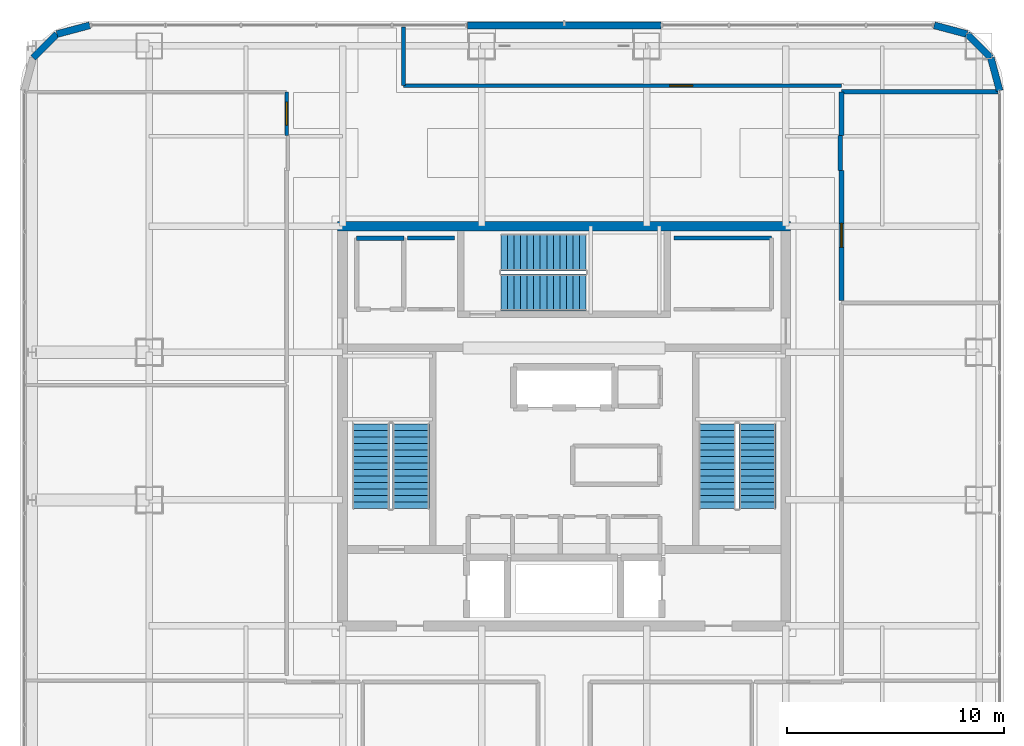
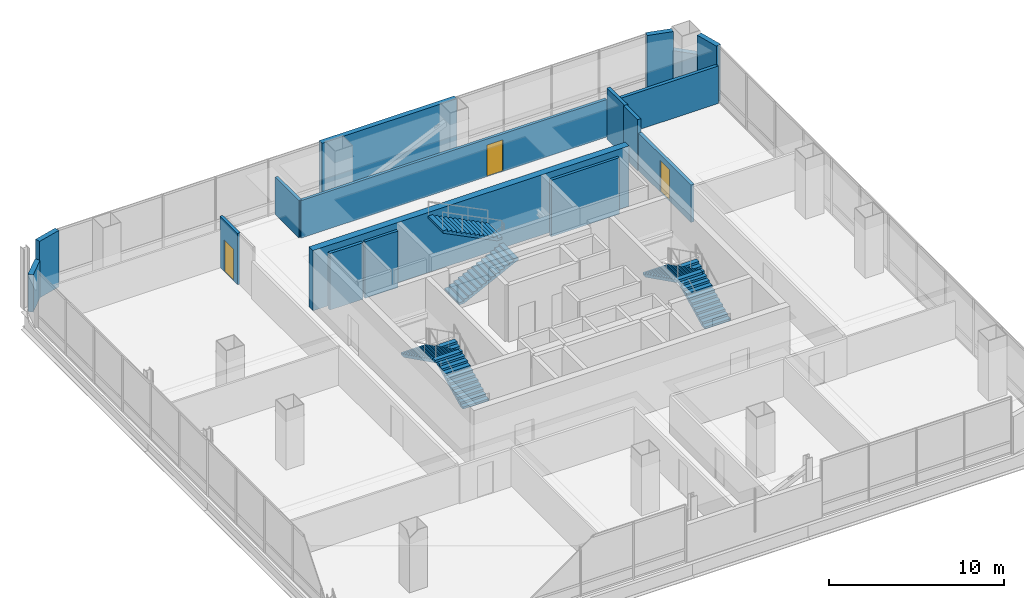
# One storey, part 37 of 46: 17 walls, 6 stair flights, 3 doors, 3 openings, 3 elements without a shape of their own.
"""IFC4 building model written with IfcOpenShell, lengths in metres."""

from ifc_helpers import new_model, si_unit, direction, frame, frame_2d, origin, place, context, subcontext, project, spatial, polyline, rectangle, outline, extrude, material, layer, layer_set, type_object, element, fill, aggregate, save


model = new_model("IFC4")

# Units and contexts
model_context = context("Model", 3, precision=1e-05, world=origin(), true_north=direction((0.0, 1.0)))
body_context = subcontext(model_context, "Body", "Model", "MODEL_VIEW")
ifc_project = project(units=[si_unit("LENGTHUNIT", "METRE"), si_unit("AREAUNIT", "SQUARE_METRE"), si_unit("VOLUMEUNIT", "CUBIC_METRE"), si_unit("PLANEANGLEUNIT", "RADIAN"), si_unit("MASSUNIT", "GRAM", prefix="KILO")], contexts=[model_context])

# Site, building, storey
site_placement = place(None, origin())
site = spatial("IfcSite", under=ifc_project, at=site_placement, CompositionType="ELEMENT")
building_placement = place(site_placement, origin())
building = spatial("IfcBuilding", under=site, at=building_placement, Name="Punatoya Terracotta Tower", CompositionType="ELEMENT")
storey_placement = place(building_placement, frame((0.0, 0.0, 330.0)))
storey = spatial("IfcBuildingStorey", under=building, at=storey_placement, Name="L78", CompositionType="ELEMENT", Elevation=330.0)

# Walls
ifc_material_1 = material(Name="Concrete C50/60", Category="concrete")
ifc_layer_1 = layer(ifc_material_1, 0.449951171875)
ifc_layer_set_1 = layer_set([ifc_layer_1], Name="Concrete C50/60")
wall_type_1 = type_object("IfcWallType", Name="WL-COR-450", PredefinedType="SHEAR", material=ifc_layer_set_1)
wall_1_placement = place(storey_placement, frame((-10.425048828125, 9.199951171875, 0.0), z_axis=(0.0, 0.0, 1.0), x_axis=(1.0, 0.0, 0.0)))
element("IfcWall", 1, at=wall_1_placement, inside=storey, type_object=wall_type_1, Name="L78 Core Shear Wall N", PredefinedType="SHEAR", context=body_context, shape_type="SweptSolid", body=[
    extrude(rectangle(XDim=20.85009765625, YDim=0.449951171875, at=frame_2d((10.425048828125, 0.0))), origin(), (0.0, 0.0, 1.0), 4.199951171875),
])
ifc_material_2 = material(Name="Gypsum Fireboard + Steel Stud", Category="steel")
ifc_layer_2 = layer(ifc_material_2, 0.179931640625)
ifc_layer_set_2 = layer_set([ifc_layer_2], Name="Gypsum Fireboard + Steel Stud")
wall_type_2 = type_object("IfcWallType", Name="WL-CORR-180", PredefinedType="PARTITIONING", material=ifc_layer_set_2)
wall_2_placement = place(storey_placement, frame((-5.050048828125, 8.64990234375, 0.0), z_axis=(0.0, 0.0, 1.0), x_axis=(-1.0, 0.0, 0.0)))
element("IfcWall", 2, at=wall_2_placement, inside=storey, type_object=wall_type_2, Name="L78 West Core Print Room Partition 21", PredefinedType="PARTITIONING", context=body_context, shape_type="SweptSolid", body=[
    extrude(rectangle(XDim=2.169921875, YDim=0.179931640625, at=frame_2d((1.0849609375, 0.0))), origin(), (0.0, 0.0, 1.0), 3.93994140625),
])
wall_3_placement = place(storey_placement, frame((9.550048828125, 8.64990234375, 0.0), z_axis=(0.0, 0.0, 1.0), x_axis=(-1.0, 0.0, 0.0)))
element("IfcWall", 3, at=wall_3_placement, inside=storey, type_object=wall_type_2, Name="L78 East Core Wellness Room Partition 24", PredefinedType="PARTITIONING", context=body_context, shape_type="SweptSolid", body=[
    extrude(rectangle(XDim=4.5, YDim=0.179931640625, at=frame_2d((2.25, 0.0))), origin(), (0.0, 0.0, 1.0), 3.93994140625),
])

# Wall, opening, door
wall_4_placement = place(storey_placement, frame((-12.77001953125, 15.389892578125, 0.0), z_axis=(0.0, 0.0, 1.0), x_axis=(0.0, -1.0, 0.0)))
wall_4 = element("IfcWall", 4, at=wall_4_placement, inside=storey, type_object=wall_type_2, Name="L78 Wellness Rest Room Partition 41", PredefinedType="PARTITIONING", context=body_context, shape_type="SweptSolid", body=[
    extrude(rectangle(XDim=2.010009765625, YDim=0.179931640625, at=frame_2d((1.0048828125, 0.0))), origin(), (0.0, 0.0, 1.0), 3.573974609375),
])
opening_1_placement = place(wall_4_placement, frame((0.47998046875, 0.0, 0.0)))
opening_1 = element("IfcOpeningElement", 5, at=opening_1_placement, cuts=wall_4, Name="Opening OD-01", PredefinedType="OPENING", context=body_context, shape_type="SweptSolid", body=[
    extrude(rectangle(XDim=1.050048828125, YDim=2.199951171875, at=frame_2d((0.52490234375, 1.10009765625))), frame((0.0, 0.099853515625, 0.0), z_axis=(0.0, -1.0, 0.0), x_axis=(1.0, 0.0, 0.0)), (0.0, 0.0, 1.0), 0.199951171875),
])
ifc_material_3 = material(Name="Bengal Teak Solid-Core Leaf")
door_type_1 = type_object("IfcDoorType", Name="DR-OFF-1050", OperationType="NOTDEFINED", PredefinedType="DOOR", material=ifc_material_3)
door_1_placement = place(opening_1_placement, origin())
door_1 = element("IfcDoor", 6, at=door_1_placement, inside=storey, type_object=door_type_1, Name="L78 Wellness Rest Room Door", OperationType="SINGLE_SWING_LEFT", OverallHeight=2.199951171875, OverallWidth=1.050048828125, PredefinedType="DOOR", context=body_context, shape_type="SweptSolid", body=[
    extrude(rectangle(XDim=1.050048828125, YDim=2.199951171875, at=frame_2d((0.52490234375, 1.10009765625))), frame((0.0, 0.02490234375, 0.0), z_axis=(0.0, -1.0, 0.0), x_axis=(1.0, 0.0, 0.0)), (0.0, 0.0, 1.0), 0.050048828125),
])
fill(opening_1, door_1)

wall_5_placement = place(storey_placement, frame((12.77001953125, 15.669921875, 0.0), z_axis=(0.0, 0.0, 1.0), x_axis=(-1.0, 0.0, 0.0)))
wall_5 = element("IfcWall", 7, at=wall_5_placement, inside=storey, type_object=wall_type_2, Name="L78 Open-Plan Hydrology Modelling Laboratory Partition 48", PredefinedType="PARTITIONING", context=body_context, shape_type="SweptSolid", body=[
    extrude(rectangle(XDim=20.169921875, YDim=0.179931640625, at=frame_2d((10.0849609375, 0.0))), origin(), (0.0, 0.0, 1.0), 2.614013671875),
])
opening_2_placement = place(wall_5_placement, frame((6.860107421875, 0.0, 0.0)))
opening_2 = element("IfcOpeningElement", 8, at=opening_2_placement, cuts=wall_5, Name="Opening OD-01", PredefinedType="OPENING", context=body_context, shape_type="SweptSolid", body=[
    extrude(rectangle(XDim=1.050048828125, YDim=2.199951171875, at=frame_2d((0.52490234375, 1.10009765625))), frame((0.0, 0.099853515625, 0.0), z_axis=(0.0, -1.0, 0.0), x_axis=(1.0, 0.0, 0.0)), (0.0, 0.0, 1.0), 0.199951171875),
])
door_2_placement = place(opening_2_placement, origin())
door_2 = element("IfcDoor", 9, at=door_2_placement, inside=storey, type_object=door_type_1, Name="L78 Open-Plan Hydrology Modelling Laboratory Door", OperationType="SINGLE_SWING_LEFT", OverallHeight=2.199951171875, OverallWidth=1.050048828125, PredefinedType="DOOR", context=body_context, shape_type="SweptSolid", body=[
    extrude(rectangle(XDim=1.050048828125, YDim=2.199951171875, at=frame_2d((0.52490234375, 1.10009765625))), frame((0.0, 0.02490234375, 0.0), z_axis=(0.0, -1.0, 0.0), x_axis=(1.0, 0.0, 0.0)), (0.0, 0.0, 1.0), 0.050048828125),
])
fill(opening_2, door_2)

# Walls
wall_6_placement = place(storey_placement, frame((-7.39990234375, 15.669921875, 0.0), z_axis=(0.0, 0.0, 1.0), x_axis=(0.0, 1.0, 0.0)))
element("IfcWall", 10, at=wall_6_placement, inside=storey, type_object=wall_type_2, Name="L78 Open-Plan Hydrology Modelling Laboratory Partition 49", PredefinedType="PARTITIONING", context=body_context, shape_type="SweptSolid", body=[
    extrude(rectangle(XDim=2.7001953125, YDim=0.179931640625, at=frame_2d((1.35009765625, 0.0))), origin(), (0.0, 0.0, 1.0), 2.614013671875),
])
ifc_material_4 = material(Name="Precast concrete C40/50", Category="concrete")
ifc_layer_3 = layer(ifc_material_4, 0.320068359375)
ifc_layer_set_3 = layer_set([ifc_layer_3], Name="Precast concrete C40/50")
wall_type_3 = type_object("IfcWallType", Name="WL-EXT-320", PredefinedType="SOLIDWALL", material=ifc_layer_set_3)
wall_7_placement = place(storey_placement, frame((20.050048828125, 15.43701171875, 0.0), z_axis=(0.0, 0.0, 1.0), x_axis=(-0.257847112249, 0.966185730957, 0.0)))
element("IfcWall", 11, at=wall_7_placement, inside=storey, type_object=wall_type_3, Name="L78 Rounded Terracotta Corner Pier 06", PredefinedType="SOLIDWALL", context=body_context, shape_type="SweptSolid", body=[
    extrude(rectangle(XDim=1.565185546875, YDim=0.320068359375, at=frame_2d((0.78271484375, 0.0))), origin(), (0.0, 0.0, 1.0), 3.93994140625),
])
wall_8_placement = place(storey_placement, frame((19.646484375, 16.94921875, 0.0), z_axis=(0.0, 0.0, 1.0), x_axis=(-0.707106781187, 0.707106781187, 0.0)))
element("IfcWall", 12, at=wall_8_placement, inside=storey, type_object=wall_type_3, Name="L78 Rounded Terracotta Corner Pier 07", PredefinedType="SOLIDWALL", context=body_context, shape_type="SweptSolid", body=[
    extrude(rectangle(XDim=1.552001953125, YDim=0.320068359375, at=frame_2d((0.77587890625, 0.0))), origin(), (0.0, 0.0, 1.0), 2.614013671875),
])
wall_9_placement = place(storey_placement, frame((18.549072265625, 18.046630859375, 0.0), z_axis=(0.0, 0.0, 1.0), x_axis=(-0.966224582397, 0.257701486942, 0.0)))
element("IfcWall", 13, at=wall_9_placement, inside=storey, type_object=wall_type_3, Name="L78 Rounded Terracotta Corner Pier 08", PredefinedType="SOLIDWALL", context=body_context, shape_type="SweptSolid", body=[
    extrude(rectangle(XDim=1.565185546875, YDim=0.320068359375, at=frame_2d((0.78271484375, 0.0))), origin(), (0.0, 0.0, 1.0), 3.93994140625),
])
wall_10_placement = place(storey_placement, frame((4.449951171875, 18.449951171875, 0.0), z_axis=(0.0, 0.0, 1.0), x_axis=(-1.0, 0.0, 0.0)))
element("IfcWall", 14, at=wall_10_placement, inside=storey, type_object=wall_type_3, Name="L78 Terracotta Braced Facade Wall N1", PredefinedType="SOLIDWALL", context=body_context, shape_type="SweptSolid", body=[
    extrude(rectangle(XDim=8.89990234375, YDim=0.320068359375, at=frame_2d((4.449951171875, 0.0))), origin(), (0.0, 0.0, 1.0), 3.93994140625),
])
wall_11_placement = place(storey_placement, frame((-21.8369140625, 18.449951171875, 0.0), z_axis=(0.0, 0.0, 1.0), x_axis=(-0.966224582397, -0.257701486942, 0.0)))
element("IfcWall", 15, at=wall_11_placement, inside=storey, type_object=wall_type_3, Name="L78 Rounded Terracotta Corner Pier 10", PredefinedType="SOLIDWALL", context=body_context, shape_type="SweptSolid", body=[
    extrude(rectangle(XDim=1.565185546875, YDim=0.320068359375, at=frame_2d((0.78271484375, 0.0))), origin(), (0.0, 0.0, 1.0), 3.93994140625),
])
wall_12_placement = place(storey_placement, frame((-23.34912109375, 18.046630859375, 0.0), z_axis=(0.0, 0.0, 1.0), x_axis=(-0.707106781187, -0.707106781187, 0.0)))
element("IfcWall", 16, at=wall_12_placement, inside=storey, type_object=wall_type_3, Name="L78 Rounded Terracotta Corner Pier 11", PredefinedType="SOLIDWALL", context=body_context, shape_type="SweptSolid", body=[
    extrude(rectangle(XDim=1.552001953125, YDim=0.320068359375, at=frame_2d((0.77587890625, 0.0))), origin(), (0.0, 0.0, 1.0), 2.614013671875),
])

# Wall, opening, door
ifc_material_5 = material(Name="Concrete C40/50", Category="concrete")
ifc_layer_4 = layer(ifc_material_5, 0.219970703125)
ifc_layer_set_4 = layer_set([ifc_layer_4], Name="Concrete C40/50")
wall_type_4 = type_object("IfcWallType", Name="WL-FIR-220", PredefinedType="SOLIDWALL", material=ifc_layer_set_4)
wall_13_placement = place(storey_placement, frame((12.77001953125, 5.7900390625, 0.0), z_axis=(0.0, 0.0, 1.0), x_axis=(0.0, 1.0, 0.0)))
wall_13 = element("IfcWall", 17, at=wall_13_placement, inside=storey, type_object=wall_type_4, Name="L78 Geospatial Data Archive Partition 44", PredefinedType="SOLIDWALL", context=body_context, shape_type="SweptSolid", body=[
    extrude(rectangle(XDim=5.97998046875, YDim=0.219970703125, at=frame_2d((2.989990234375, 0.0))), origin(), (0.0, 0.0, 1.0), 2.614013671875),
])
opening_3_placement = place(wall_13_placement, frame((2.43994140625, 0.0, 0.0)))
opening_3 = element("IfcOpeningElement", 18, at=opening_3_placement, cuts=wall_13, Name="Opening FD-P1", PredefinedType="OPENING", context=body_context, shape_type="SweptSolid", body=[
    extrude(rectangle(XDim=1.10009765625, YDim=2.199951171875, at=frame_2d((0.550048828125, 1.10009765625))), frame((0.0, 0.119873046875, 0.0), z_axis=(0.0, -1.0, 0.0), x_axis=(1.0, 0.0, 0.0)), (0.0, 0.0, 1.0), 0.239990234375),
])
ifc_material_6 = material(Name="Galvanised Steel Plant Fire Door", Category="steel")
door_type_2 = type_object("IfcDoorType", Name="DR-PLT-1100", OperationType="NOTDEFINED", PredefinedType="DOOR", material=ifc_material_6)
door_3_placement = place(opening_3_placement, origin())
door_3 = element("IfcDoor", 19, at=door_3_placement, inside=storey, type_object=door_type_2, Name="L78 Geospatial Data Archive Fire Door", OperationType="SINGLE_SWING_RIGHT", OverallHeight=2.199951171875, OverallWidth=1.10009765625, PredefinedType="DOOR", context=body_context, shape_type="SweptSolid", body=[
    extrude(rectangle(XDim=1.10009765625, YDim=2.199951171875, at=frame_2d((0.550048828125, 1.10009765625))), frame((0.0, 0.02490234375, 0.0), z_axis=(0.0, -1.0, 0.0), x_axis=(1.0, 0.0, 0.0)), (0.0, 0.0, 1.0), 0.050048828125),
])
fill(opening_3, door_3)

# Walls
wall_14_placement = place(storey_placement, frame((12.7099609375, 11.77001953125, 0.0), z_axis=(0.0, 0.0, 1.0), x_axis=(0.0, 1.0, 0.0)))
element("IfcWall", 20, at=wall_14_placement, inside=storey, type_object=wall_type_4, Name="L78 Geospatial Data Archive Partition 45", PredefinedType="SOLIDWALL", context=body_context, shape_type="SweptSolid", body=[
    extrude(rectangle(XDim=1.60986328125, YDim=0.219970703125, at=frame_2d((0.804931640625, 0.0))), origin(), (0.0, 0.0, 1.0), 3.573974609375),
])
wall_15_placement = place(storey_placement, frame((12.77001953125, 13.3798828125, 0.0), z_axis=(0.0, 0.0, 1.0), x_axis=(0.0, 1.0, 0.0)))
element("IfcWall", 21, at=wall_15_placement, inside=storey, type_object=wall_type_4, Name="L78 Geospatial Data Archive Partition 46", PredefinedType="SOLIDWALL", context=body_context, shape_type="SweptSolid", body=[
    extrude(rectangle(XDim=2.010009765625, YDim=0.219970703125, at=frame_2d((1.0048828125, 0.0))), origin(), (0.0, 0.0, 1.0), 3.573974609375),
])
wall_16_placement = place(storey_placement, frame((12.77001953125, 15.389892578125, 0.0), z_axis=(0.0, 0.0, 1.0), x_axis=(1.0, 0.0, 0.0)))
element("IfcWall", 22, at=wall_16_placement, inside=storey, type_object=wall_type_4, Name="L78 Geospatial Data Archive Partition 47", PredefinedType="SOLIDWALL", context=body_context, shape_type="SweptSolid", body=[
    extrude(rectangle(XDim=7.199951171875, YDim=0.219970703125, at=frame_2d((3.60009765625, 0.0))), origin(), (0.0, 0.0, 1.0), 2.614013671875),
])
ifc_layer_5 = layer(ifc_material_5, 0.199951171875)
ifc_layer_set_5 = layer_set([ifc_layer_5], Name="Concrete C40/50")
wall_type_5 = type_object("IfcWallType", Name="WL-INT-200", PredefinedType="SOLIDWALL", material=ifc_layer_set_5)
wall_17_placement = place(storey_placement, frame((-7.3798828125, 8.64990234375, 0.0), z_axis=(0.0, 0.0, 1.0), x_axis=(-1.0, 0.0, 0.0)))
element("IfcWall", 23, at=wall_17_placement, inside=storey, type_object=wall_type_5, Name="L78 West Core Archive Vault Partition 18", PredefinedType="SOLIDWALL", context=body_context, shape_type="SweptSolid", body=[
    extrude(rectangle(XDim=2.170166015625, YDim=0.199951171875, at=frame_2d((1.0849609375, 0.0))), origin(), (0.0, 0.0, 1.0), 3.93994140625),
])

# Stair, stair flights
stair_type_1 = type_object("IfcStairType", Name="STR-CORE-1550", PredefinedType="HALF_TURN_STAIR", material=ifc_material_5)
stair_1_placement = place(storey_placement, origin())
stair_1 = element("IfcStair", 24, at=stair_1_placement, inside=storey, type_object=stair_type_1, Name="L78 Protected Core Exit Stair ST-1", PredefinedType="HALF_TURN_STAIR")
stair_flight_type_1 = type_object("IfcStairFlightType", Name="SFL-CORE-1550", PredefinedType="STRAIGHT", material=ifc_material_5)
stair_flight_1_placement = place(storey_placement, frame((-7.050048828125, -3.800048828125, 0.0), z_axis=(0.0, 0.0, 1.0), x_axis=(0.0, 1.0, 0.0)))
stair_flight_1 = element("IfcStairFlight", 25, at=stair_flight_1_placement, type_object=stair_flight_type_1, Name="ST-1 flight 1", NumberOfRisers=14, NumberOfTreads=13, PredefinedType="STRAIGHT", RiserHeight=0.15, TreadLength=0.3, context=body_context, shape_type="SweptSolid", body=[
    extrude(outline(polyline([(0.0, 0.0), (0.0, 0.14990234375), (0.300048828125, 0.14990234375), (0.300048828125, 0.300048828125), (0.60009765625, 0.300048828125), (0.60009765625, 0.449951171875), (0.89990234375, 0.449951171875), (0.89990234375, 0.60009765625), (1.199951171875, 0.60009765625), (1.199951171875, 0.75), (1.5, 0.75), (1.5, 0.89990234375), (1.800048828125, 0.89990234375), (1.800048828125, 1.050048828125), (2.10009765625, 1.050048828125), (2.10009765625, 1.199951171875), (2.39990234375, 1.199951171875), (2.39990234375, 1.35009765625), (2.699951171875, 1.35009765625), (2.699951171875, 1.5), (3.0, 1.5), (3.0, 1.64990234375), (3.300048828125, 1.64990234375), (3.300048828125, 1.800048828125), (3.60009765625, 1.800048828125), (3.60009765625, 1.949951171875), (3.89990234375, 1.949951171875), (3.89990234375, 2.10009765625), (3.89990234375, 1.782470703125), (0.335205078125, 0.0), (0.0, 0.0)])), frame((0.0, 0.85009765625, 0.0), z_axis=(0.0, -1.0, 0.0), x_axis=(1.0, 0.0, 0.0)), (0.0, 0.0, 1.0), 1.699951171875),
])
stair_flight_2_placement = place(storey_placement, frame((-8.89990234375, 0.10009765625, 2.10009765625), z_axis=(0.0, 0.0, 1.0), x_axis=(0.0, -1.0, 0.0)))
stair_flight_2 = element("IfcStairFlight", 26, at=stair_flight_2_placement, type_object=stair_flight_type_1, Name="ST-1 flight 2", NumberOfRisers=14, NumberOfTreads=13, PredefinedType="STRAIGHT", RiserHeight=0.15, TreadLength=0.3, context=body_context, shape_type="SweptSolid", body=[
    extrude(outline(polyline([(0.0, 0.0), (0.0, 0.14990234375), (0.300048828125, 0.14990234375), (0.300048828125, 0.300048828125), (0.60009765625, 0.300048828125), (0.60009765625, 0.449951171875), (0.89990234375, 0.449951171875), (0.89990234375, 0.60009765625), (1.199951171875, 0.60009765625), (1.199951171875, 0.75), (1.5, 0.75), (1.5, 0.89990234375), (1.800048828125, 0.89990234375), (1.800048828125, 1.050048828125), (2.10009765625, 1.050048828125), (2.10009765625, 1.199951171875), (2.39990234375, 1.199951171875), (2.39990234375, 1.35009765625), (2.699951171875, 1.35009765625), (2.699951171875, 1.5), (3.0, 1.5), (3.0, 1.64990234375), (3.300048828125, 1.64990234375), (3.300048828125, 1.800048828125), (3.60009765625, 1.800048828125), (3.60009765625, 1.949951171875), (3.89990234375, 1.949951171875), (3.89990234375, 2.10009765625), (3.89990234375, 1.782470703125), (0.335205078125, 0.0), (0.0, 0.0)])), frame((0.0, 0.85009765625, 0.0), z_axis=(0.0, -1.0, 0.0), x_axis=(1.0, 0.0, 0.0)), (0.0, 0.0, 1.0), 1.699951171875),
])
aggregate(stair_1, [stair_flight_1, stair_flight_2])

stair_type_2 = type_object("IfcStairType", Name="STR-LOB-1650", PredefinedType="HALF_TURN_STAIR", material=ifc_material_5)
stair_2_placement = place(storey_placement, origin())
stair_2 = element("IfcStair", 27, at=stair_2_placement, inside=storey, type_object=stair_type_2, Name="L78 Protected Core Exit Stair ST-2", PredefinedType="HALF_TURN_STAIR")
stair_flight_type_2 = type_object("IfcStairFlightType", Name="SFL-LOB-1650", PredefinedType="STRAIGHT", material=ifc_material_5)
stair_flight_3_placement = place(storey_placement, frame((8.89990234375, -3.800048828125, 0.0), z_axis=(0.0, 0.0, 1.0), x_axis=(0.0, 1.0, 0.0)))
stair_flight_3 = element("IfcStairFlight", 28, at=stair_flight_3_placement, type_object=stair_flight_type_2, Name="ST-2 flight 1", NumberOfRisers=14, NumberOfTreads=13, PredefinedType="STRAIGHT", RiserHeight=0.15, TreadLength=0.3, context=body_context, shape_type="SweptSolid", body=[
    extrude(outline(polyline([(0.0, 0.0), (0.0, 0.14990234375), (0.300048828125, 0.14990234375), (0.300048828125, 0.300048828125), (0.60009765625, 0.300048828125), (0.60009765625, 0.449951171875), (0.89990234375, 0.449951171875), (0.89990234375, 0.60009765625), (1.199951171875, 0.60009765625), (1.199951171875, 0.75), (1.5, 0.75), (1.5, 0.89990234375), (1.800048828125, 0.89990234375), (1.800048828125, 1.050048828125), (2.10009765625, 1.050048828125), (2.10009765625, 1.199951171875), (2.39990234375, 1.199951171875), (2.39990234375, 1.35009765625), (2.699951171875, 1.35009765625), (2.699951171875, 1.5), (3.0, 1.5), (3.0, 1.64990234375), (3.300048828125, 1.64990234375), (3.300048828125, 1.800048828125), (3.60009765625, 1.800048828125), (3.60009765625, 1.949951171875), (3.89990234375, 1.949951171875), (3.89990234375, 2.10009765625), (3.89990234375, 1.782470703125), (0.335205078125, 0.0), (0.0, 0.0)])), frame((0.0, 0.85009765625, 0.0), z_axis=(0.0, -1.0, 0.0), x_axis=(1.0, 0.0, 0.0)), (0.0, 0.0, 1.0), 1.699951171875),
])
stair_flight_4_placement = place(storey_placement, frame((7.050048828125, 0.10009765625, 2.10009765625), z_axis=(0.0, 0.0, 1.0), x_axis=(0.0, -1.0, 0.0)))
stair_flight_4 = element("IfcStairFlight", 29, at=stair_flight_4_placement, type_object=stair_flight_type_2, Name="ST-2 flight 2", NumberOfRisers=14, NumberOfTreads=13, PredefinedType="STRAIGHT", RiserHeight=0.15, TreadLength=0.3, context=body_context, shape_type="SweptSolid", body=[
    extrude(outline(polyline([(0.0, 0.0), (0.0, 0.14990234375), (0.300048828125, 0.14990234375), (0.300048828125, 0.300048828125), (0.60009765625, 0.300048828125), (0.60009765625, 0.449951171875), (0.89990234375, 0.449951171875), (0.89990234375, 0.60009765625), (1.199951171875, 0.60009765625), (1.199951171875, 0.75), (1.5, 0.75), (1.5, 0.89990234375), (1.800048828125, 0.89990234375), (1.800048828125, 1.050048828125), (2.10009765625, 1.050048828125), (2.10009765625, 1.199951171875), (2.39990234375, 1.199951171875), (2.39990234375, 1.35009765625), (2.699951171875, 1.35009765625), (2.699951171875, 1.5), (3.0, 1.5), (3.0, 1.64990234375), (3.300048828125, 1.64990234375), (3.300048828125, 1.800048828125), (3.60009765625, 1.800048828125), (3.60009765625, 1.949951171875), (3.89990234375, 1.949951171875), (3.89990234375, 2.10009765625), (3.89990234375, 1.782470703125), (0.335205078125, 0.0), (0.0, 0.0)])), frame((0.0, 0.85009765625, 0.0), z_axis=(0.0, -1.0, 0.0), x_axis=(1.0, 0.0, 0.0)), (0.0, 0.0, 1.0), 1.699951171875),
])
aggregate(stair_2, [stair_flight_3, stair_flight_4])

stair_type_3 = type_object("IfcStairType", Name="STR-TER-1450", PredefinedType="HALF_TURN_STAIR", material=ifc_material_5)
stair_3_placement = place(storey_placement, origin())
stair_3 = element("IfcStair", 30, at=stair_3_placement, inside=storey, type_object=stair_type_3, Name="L78 Protected Core Exit Stair ST-3", PredefinedType="HALF_TURN_STAIR")
stair_flight_type_3 = type_object("IfcStairFlightType", Name="SFL-TER-1450", PredefinedType="STRAIGHT", material=ifc_material_5)
stair_flight_5_placement = place(storey_placement, frame((-2.89990234375, 6.14990234375, 0.0), z_axis=(0.0, 0.0, 1.0), x_axis=(1.0, 0.0, 0.0)))
stair_flight_5 = element("IfcStairFlight", 31, at=stair_flight_5_placement, type_object=stair_flight_type_3, Name="ST-3 flight 1", NumberOfRisers=14, NumberOfTreads=13, PredefinedType="STRAIGHT", RiserHeight=0.15, TreadLength=0.3, context=body_context, shape_type="SweptSolid", body=[
    extrude(outline(polyline([(0.0, 0.0), (0.0, 0.14990234375), (0.300048828125, 0.14990234375), (0.300048828125, 0.300048828125), (0.60009765625, 0.300048828125), (0.60009765625, 0.449951171875), (0.89990234375, 0.449951171875), (0.89990234375, 0.60009765625), (1.199951171875, 0.60009765625), (1.199951171875, 0.75), (1.5, 0.75), (1.5, 0.89990234375), (1.800048828125, 0.89990234375), (1.800048828125, 1.050048828125), (2.10009765625, 1.050048828125), (2.10009765625, 1.199951171875), (2.39990234375, 1.199951171875), (2.39990234375, 1.35009765625), (2.699951171875, 1.35009765625), (2.699951171875, 1.5), (3.0, 1.5), (3.0, 1.64990234375), (3.300048828125, 1.64990234375), (3.300048828125, 1.800048828125), (3.60009765625, 1.800048828125), (3.60009765625, 1.949951171875), (3.89990234375, 1.949951171875), (3.89990234375, 2.10009765625), (3.89990234375, 1.782470703125), (0.335205078125, 0.0), (0.0, 0.0)])), frame((0.0, 0.85009765625, 0.0), z_axis=(0.0, -1.0, 0.0), x_axis=(1.0, 0.0, 0.0)), (0.0, 0.0, 1.0), 1.699951171875),
])
stair_flight_6_placement = place(storey_placement, frame((1.0, 8.0, 2.10009765625), z_axis=(0.0, 0.0, 1.0), x_axis=(-1.0, 0.0, 0.0)))
stair_flight_6 = element("IfcStairFlight", 32, at=stair_flight_6_placement, type_object=stair_flight_type_3, Name="ST-3 flight 2", NumberOfRisers=14, NumberOfTreads=13, PredefinedType="STRAIGHT", RiserHeight=0.15, TreadLength=0.3, context=body_context, shape_type="SweptSolid", body=[
    extrude(outline(polyline([(0.0, 0.0), (0.0, 0.14990234375), (0.300048828125, 0.14990234375), (0.300048828125, 0.300048828125), (0.60009765625, 0.300048828125), (0.60009765625, 0.449951171875), (0.89990234375, 0.449951171875), (0.89990234375, 0.60009765625), (1.199951171875, 0.60009765625), (1.199951171875, 0.75), (1.5, 0.75), (1.5, 0.89990234375), (1.800048828125, 0.89990234375), (1.800048828125, 1.050048828125), (2.10009765625, 1.050048828125), (2.10009765625, 1.199951171875), (2.39990234375, 1.199951171875), (2.39990234375, 1.35009765625), (2.699951171875, 1.35009765625), (2.699951171875, 1.5), (3.0, 1.5), (3.0, 1.64990234375), (3.300048828125, 1.64990234375), (3.300048828125, 1.800048828125), (3.60009765625, 1.800048828125), (3.60009765625, 1.949951171875), (3.89990234375, 1.949951171875), (3.89990234375, 2.10009765625), (3.89990234375, 1.782470703125), (0.335205078125, 0.0), (0.0, 0.0)])), frame((0.0, 0.85009765625, 0.0), z_axis=(0.0, -1.0, 0.0), x_axis=(1.0, 0.0, 0.0)), (0.0, 0.0, 1.0), 1.699951171875),
])
aggregate(stair_3, [stair_flight_5, stair_flight_6])

save(model, "model.ifc")
